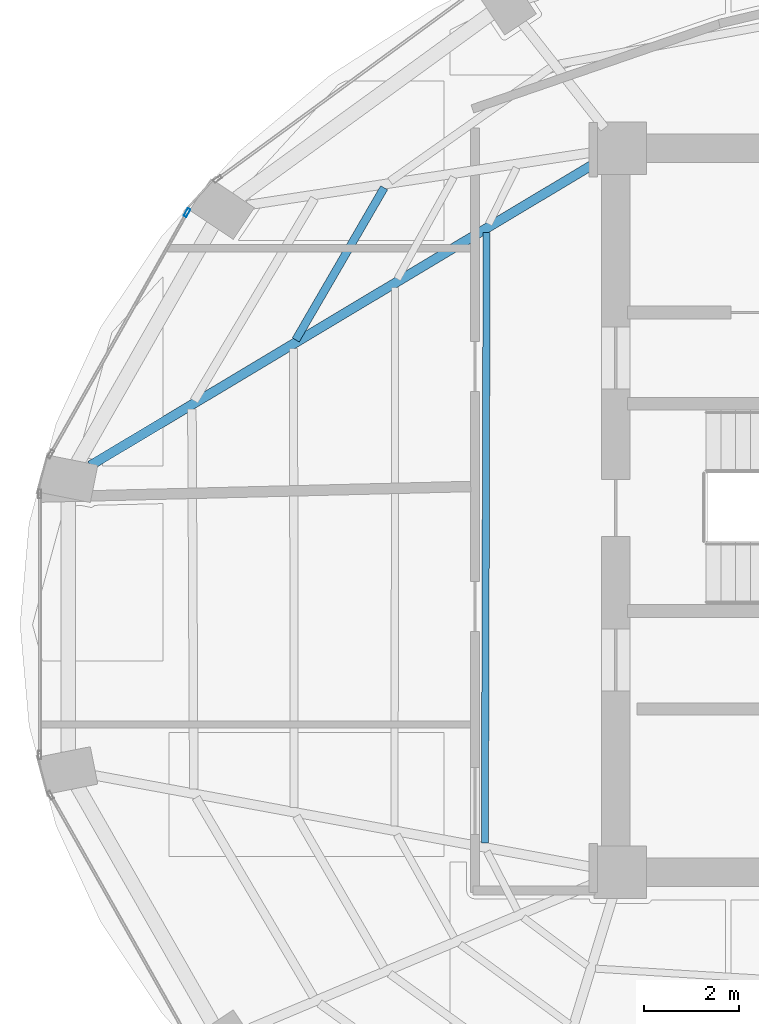
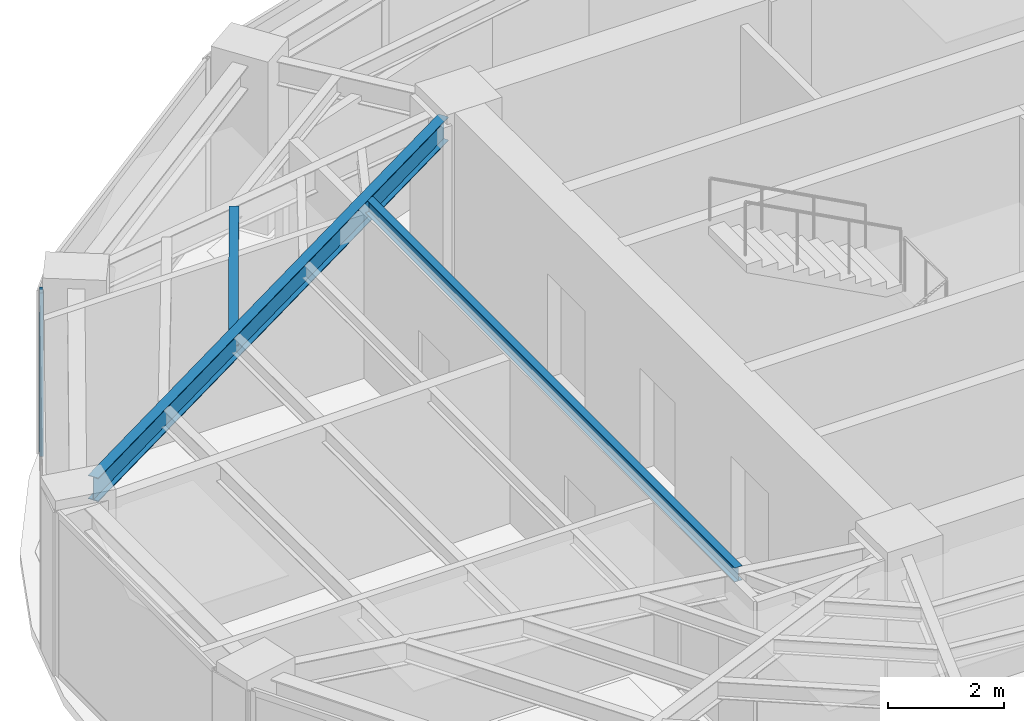
# One storey, part 9 of 22: 3 beams, 1 member, 1 element without a shape of its own.
"""IFC4 building model written with IfcOpenShell, lengths in metres."""

import ifcopenshell
import ifcopenshell.guid

model = None  # the IFC model being written
_history = None  # IfcOwnerHistory: only IFC2X3 demands one
_inside = {}  # id of a spatial element -> (the spatial element, [elements in it])
_under = {}  # id of a project, library or spatial element -> (it, [spatial elements below it])
_declared = {}  # id of a project -> (the project, [libraries it declares])
_typed = {}  # id of a type object -> (the type object, [elements of that type])
_made_of = {}  # id of a material, layer set ... -> (it, [elements and type objects made of it])


def new_model(schema):
    """Start an empty IFC model of exactly this schema.

    Asked for "IFC4X3", IfcOpenShell would pick the latest addendum, in which some entities
    have other attributes; the version numbers below select the first issue.
    IFC2X3 requires an IfcOwnerHistory on every rooted entity: one is made here for all.
    """
    global model, _history
    if schema == "IFC4X3":
        model = ifcopenshell.file(schema_version=(4, 3, 0, 0))
    else:
        model = ifcopenshell.file(schema=schema)
    _inside.clear()
    _under.clear()
    _declared.clear()
    _typed.clear()
    _made_of.clear()
    _history = None
    if model.schema == "IFC2X3":
        org = make("IfcOrganization", Name="unknown")
        user = make(
            "IfcPersonAndOrganization",
            ThePerson=make("IfcPerson", FamilyName="unknown"),
            TheOrganization=org,
        )
        app = make(
            "IfcApplication",
            ApplicationDeveloper=org,
            Version="unknown",
            ApplicationFullName="unknown",
            ApplicationIdentifier="unknown",
        )
        _history = make(
            "IfcOwnerHistory",
            OwningUser=user,
            OwningApplication=app,
            ChangeAction="ADDED",
            CreationDate=0,
        )
    return model


def make(cls, **values):
    """One entity of the class cls with the attributes given. An attribute that is None is left unset."""
    return model.create_entity(
        cls, **{name: value for name, value in values.items() if value is not None}
    )


def rooted(cls, **values):
    """An entity with a GlobalId (a new one), such as an element, a storey or a relation."""
    return make(cls, GlobalId=ifcopenshell.guid.new(), OwnerHistory=_history, **values)


def si_unit(unit_type, name, prefix=None):
    """IfcSIUnit, for example si_unit("LENGTHUNIT", "METRE", prefix="MILLI")."""
    return make("IfcSIUnit", UnitType=unit_type, Prefix=prefix, Name=name)


def assignment(units):
    """IfcUnitAssignment: the units of a project."""
    return None if units is None else make("IfcUnitAssignment", Units=units)


def point(xyz):
    """IfcCartesianPoint."""
    return None if xyz is None else make("IfcCartesianPoint", Coordinates=xyz)


def direction(xyz):
    """IfcDirection."""
    return None if xyz is None else make("IfcDirection", DirectionRatios=xyz)


def frame(location, z_axis=None, x_axis=None):
    """IfcAxis2Placement3D, a coordinate frame: its origin and axes. An axis left out is left unset."""
    return make(
        "IfcAxis2Placement3D",
        Location=point(location),
        Axis=direction(z_axis),
        RefDirection=direction(x_axis),
    )


def frame_2d(location, x_axis=None):
    """IfcAxis2Placement2D, a coordinate frame in the plane: its origin and x axis."""
    return make(
        "IfcAxis2Placement2D", Location=point(location), RefDirection=direction(x_axis)
    )


def origin():
    """The frame at (0, 0, 0) with its axes left unset."""
    return frame((0.0, 0.0, 0.0))


def origin_2d():
    """The frame at (0, 0) in the plane with its x axis left unset."""
    return frame_2d((0.0, 0.0))


def place(relative_to, where):
    """IfcLocalPlacement: puts the frame where relative to a parent placement (None: the world)."""
    return make(
        "IfcLocalPlacement", PlacementRelTo=relative_to, RelativePlacement=where
    )


def context(
    kind, dimensions, precision=None, world=None, true_north=None, identifier=None
):
    """IfcGeometricRepresentationContext, for example the 3D "Model" context."""
    return make(
        "IfcGeometricRepresentationContext",
        ContextIdentifier=identifier,
        ContextType=kind,
        CoordinateSpaceDimension=dimensions,
        Precision=precision,
        WorldCoordinateSystem=world,
        TrueNorth=true_north,
    )


def subcontext(parent, identifier, kind, view, scale=None):
    """IfcGeometricRepresentationSubContext, for example "Body" below "Model"."""
    return make(
        "IfcGeometricRepresentationSubContext",
        ContextIdentifier=identifier,
        ContextType=kind,
        ParentContext=parent,
        TargetScale=scale,
        TargetView=view,
    )


def project(units=None, contexts=None):
    """IfcProject with its units and contexts."""
    return rooted(
        "IfcProject",
        Name="project",
        RepresentationContexts=contexts,
        UnitsInContext=assignment(units),
    )


def spatial(cls, under=None, at=None, **own):
    """A site, building, storey or space (cls), placed at a placement, below another one or the project."""
    s = rooted(cls, ObjectPlacement=at, **own)
    if under is not None:
        _under.setdefault(under.id(), (under, []))[1].append(s)
    return s


def profile(cls, at=None, kind="AREA", **sizes):
    """A parametric profile (cls). Its sizes go by their IFC names, for example OverallWidth=200.0."""
    return make(cls, ProfileType=kind, Position=at, **sizes)


def hollow_rectangle(**sizes):
    """IfcRectangleHollowProfileDef."""
    return profile("IfcRectangleHollowProfileDef", **sizes)


def i_section(**sizes):
    """IfcIShapeProfileDef."""
    return profile("IfcIShapeProfileDef", **sizes)


def extrude(swept, where, along, depth):
    """IfcExtrudedAreaSolid: the profile swept, set in the frame where, extruded along a direction by depth."""
    return make(
        "IfcExtrudedAreaSolid",
        SweptArea=swept,
        Position=where,
        ExtrudedDirection=direction(along),
        Depth=depth,
    )


def shape(context_of_items, identifier, shape_type, items):
    """IfcShapeRepresentation: the items that make up one representation, for example the "Body"."""
    return make(
        "IfcShapeRepresentation",
        ContextOfItems=context_of_items,
        RepresentationIdentifier=identifier,
        RepresentationType=shape_type,
        Items=items,
    )


def material(Name=None, Category=None):
    """IfcMaterial."""
    return make("IfcMaterial", Name=Name, Category=Category)


def layer(
    of_material, thickness, ventilated=None, Name=None, Category=None, Priority=None
):
    """IfcMaterialLayer: one layer of a wall or slab, of a material (None: an air gap)."""
    return make(
        "IfcMaterialLayer",
        Material=of_material,
        LayerThickness=thickness,
        IsVentilated=ventilated,
        Name=Name,
        Category=Category,
        Priority=Priority,
    )


def layer_set(layers, Name=None):
    """IfcMaterialLayerSet."""
    return make("IfcMaterialLayerSet", MaterialLayers=layers, LayerSetName=Name)


def material_profile(
    of_material, cross_section, Name=None, Category=None, Priority=None
):
    """IfcMaterialProfile: a cross section and its material."""
    return make(
        "IfcMaterialProfile",
        Name=Name,
        Material=of_material,
        Profile=cross_section,
        Priority=Priority,
        Category=Category,
    )


def profile_set(profiles, Name=None, composite=None):
    """IfcMaterialProfileSet."""
    return make(
        "IfcMaterialProfileSet",
        Name=Name,
        MaterialProfiles=profiles,
        CompositeProfile=composite,
    )


def made_of(thing, what):
    """Note that an element or type object is made of a material, layer set ...; save() writes the relation."""
    if what is not None:
        _made_of.setdefault(what.id(), (what, []))[1].append(thing)
    return thing


def type_object(cls, material=None, **own):
    """A type object (cls), such as IfcWallType, which elements share."""
    return made_of(rooted(cls, **own), material)


def element(
    cls,
    number,
    at=None,
    inside=None,
    cuts=None,
    type_object=None,
    material=None,
    context=None,
    identifier="Body",
    shape_type=None,
    held_by="IfcProductDefinitionShape",
    body=None,
    shapes=None,
    **own,
):
    """One element of the class cls, such as IfcWall. Its Tag is "e" and its number.

    at: its placement. inside: the storey or other place that contains it. cuts: it is an
    opening in that element (IfcRelVoidsElement). A single representation is given by context,
    identifier, shape_type and body (its items); several are given by shapes. held_by: the class
    of the entity that holds the representations. save() writes the other relations.
    """
    e = rooted(cls, Tag="e%d" % number, ObjectPlacement=at, **own)
    if body is not None:
        shapes = [shape(context, identifier, shape_type, body)]
    if shapes is not None:
        e.Representation = make(held_by, Representations=shapes)
    if inside is not None:
        _inside.setdefault(inside.id(), (inside, []))[1].append(e)
    if cuts is not None:
        rooted(
            "IfcRelVoidsElement", RelatingBuildingElement=cuts, RelatedOpeningElement=e
        )
    if type_object is not None:
        _typed.setdefault(type_object.id(), (type_object, []))[1].append(e)
    return made_of(e, material)


def aggregate(whole, parts):
    """IfcRelAggregates: a whole, such as a stair, and the parts it consists of."""
    return rooted("IfcRelAggregates", RelatingObject=whole, RelatedObjects=parts)


def save(model, path):
    """Write the relations noted so far, then the file.

    IfcRelAggregates (storeys below a building ...), IfcRelContainedInSpatialStructure (elements
    in a storey), IfcRelDefinesByType, IfcRelAssociatesMaterial and IfcRelDeclares: one each for
    every whole, place, type object, material and project.
    """
    for whole, parts in _under.values():
        aggregate(whole, parts)
    for where, things in _inside.values():
        rooted(
            "IfcRelContainedInSpatialStructure",
            RelatedElements=things,
            RelatingStructure=where,
        )
    for kind, things in _typed.values():
        rooted("IfcRelDefinesByType", RelatedObjects=things, RelatingType=kind)
    for what, things in _made_of.values():
        rooted("IfcRelAssociatesMaterial", RelatedObjects=things, RelatingMaterial=what)
    for by, libraries in _declared.values():
        rooted("IfcRelDeclares", RelatingContext=by, RelatedDefinitions=libraries)
    model.write(path)


model = new_model("IFC4")

# Units and contexts
model_context = context("Model", 3, precision=1e-05, world=origin(), true_north=direction((0.0, 1.0)))
body_context = subcontext(model_context, "Body", "Model", "MODEL_VIEW")
ifc_project = project(units=[si_unit("LENGTHUNIT", "METRE"), si_unit("AREAUNIT", "SQUARE_METRE"), si_unit("VOLUMEUNIT", "CUBIC_METRE"), si_unit("PLANEANGLEUNIT", "RADIAN"), si_unit("MASSUNIT", "GRAM", prefix="KILO")], contexts=[model_context])

# Site, building, storey
site_placement = place(None, origin())
site = spatial("IfcSite", under=ifc_project, at=site_placement, CompositionType="ELEMENT")
building_placement = place(site_placement, origin())
building = spatial("IfcBuilding", under=site, at=building_placement, Name="Lazwardi Medical Tower", CompositionType="ELEMENT")
storey_placement = place(building_placement, frame((0.0, 0.0, 227.6640625)))
storey = spatial("IfcBuildingStorey", under=building, at=storey_placement, Name="L59", CompositionType="ELEMENT", Elevation=227.6640625)

# Beams
ifc_material_1 = material(Name="Steel S355", Category="steel")
ifc_material_profile_1 = material_profile(ifc_material_1, i_section(OverallWidth=0.199951171875, OverallDepth=0.5, WebThickness=0.01025390625, FlangeThickness=0.01611328125, at=origin_2d()), Name="IPE 500")
ifc_profile_set_1 = profile_set([ifc_material_profile_1], Name="Steel S355")
beam_type_1 = type_object("IfcBeamType", Name="BM-RG-W3", PredefinedType="BEAM", material=ifc_profile_set_1)
beam_1_placement = place(storey_placement, frame((15.27392578125, 28.937744140625, 3.197998046875), z_axis=(0.857944804603, 0.513741873176, 0.0), x_axis=(-0.513741873176, 0.857944804603, 0.0)))
element("IfcBeam", 1, at=beam_1_placement, inside=storey, type_object=beam_type_1, Name="Radial girder RG-04 R12 L59", PredefinedType="BEAM", context=body_context, shape_type="SweptSolid", body=[
    extrude(i_section(OverallWidth=0.199951171875, OverallDepth=0.5, WebThickness=0.01025390625, FlangeThickness=0.01611328125, at=origin_2d()), origin(), (0.0, 0.0, 1.0), 12.43310546875),
])
ifc_material_profile_2 = material_profile(ifc_material_1, i_section(OverallWidth=0.169921875, OverallDepth=0.360107421875, WebThickness=0.008056640625, FlangeThickness=0.0126953125, at=origin_2d()), Name="IPE 360")
ifc_profile_set_2 = profile_set([ifc_material_profile_2], Name="Steel S355")
beam_type_2 = type_object("IfcBeamType", Name="BM-SJ-02", PredefinedType="JOIST", material=ifc_profile_set_2)
beam_2_placement = place(storey_placement, frame((21.4423828125, 34.767578125, 3.267822265625), z_axis=(-0.50218018565, -0.864763008657, 0.0), x_axis=(0.864763008657, -0.50218018565, 0.0)))
element("IfcBeam", 2, at=beam_2_placement, inside=storey, type_object=beam_type_2, Name="Secondary joist SJ-02 R2 B11 L59", PredefinedType="JOIST", context=body_context, shape_type="SweptSolid", body=[
    extrude(i_section(OverallWidth=0.169921875, OverallDepth=0.360107421875, WebThickness=0.008056640625, FlangeThickness=0.0126953125, at=origin_2d()), origin(), (0.0, 0.0, 1.0), 3.69189453125),
])
ifc_material_profile_3 = material_profile(ifc_material_1, i_section(OverallWidth=0.14990234375, OverallDepth=0.300048828125, WebThickness=0.007080078125, FlangeThickness=0.0107421875, at=origin_2d()), Name="IPE 300")
ifc_profile_set_3 = profile_set([ifc_material_profile_3], Name="Steel S355")
beam_type_3 = type_object("IfcBeamType", Name="BM-SJ-03", PredefinedType="JOIST", material=ifc_profile_set_3)
beam_3_placement = place(storey_placement, frame((23.593994140625, 33.824951171875, 3.2978515625), z_axis=(-0.002897930673, -0.99999580099, 0.0), x_axis=(0.99999580099, -0.002897930673, 0.0)))
element("IfcBeam", 3, at=beam_3_placement, inside=storey, type_object=beam_type_3, Name="Secondary joist SJ-03 R4 B12 L59", PredefinedType="JOIST", context=body_context, shape_type="SweptSolid", body=[
    extrude(i_section(OverallWidth=0.14990234375, OverallDepth=0.300048828125, WebThickness=0.007080078125, FlangeThickness=0.0107421875, at=origin_2d()), origin(), (0.0, 0.0, 1.0), 12.805419921875),
])

# Curtain wall, member
ifc_material_2 = material(Name="Anodised bronze aluminium and solar control glazing", Category="aluminium")
ifc_layer = layer(ifc_material_2, 0.18994140625)
ifc_layer_set = layer_set([ifc_layer], Name="Anodised bronze aluminium and solar control glazing")
curtain_wall_type = type_object("IfcCurtainWallType", Name="CW-SYS-04", PredefinedType="NOTDEFINED", material=ifc_layer_set)
curtain_wall_placement = place(storey_placement, origin())
curtain_wall = element("IfcCurtainWall", 4, at=curtain_wall_placement, inside=storey, type_object=curtain_wall_type, Name="L59 Unitised bronze curtain wall CW-04", PredefinedType="NOTDEFINED")
ifc_material_3 = material(Name="Anodised bronze aluminium", Category="aluminium")
ifc_material_profile_4 = material_profile(ifc_material_3, hollow_rectangle(XDim=0.06494140625, YDim=0.179931640625, WallThickness=0.00390625, at=origin_2d()), Name="ALU-MULLION 180x65x4")
ifc_profile_set_4 = profile_set([ifc_material_profile_4], Name="Anodised bronze aluminium")
member_type = type_object("IfcMemberType", Name="CW-MUL-03", PredefinedType="MULLION", material=ifc_profile_set_4)
member_placement = place(storey_placement, frame((17.3056640625, 34.24560546875, 0.0), z_axis=(0.0, 0.0, 1.0), x_axis=(0.870651436011, -0.491900474661, 0.0)))
member = element("IfcMember", 5, at=member_placement, type_object=member_type, Name="CW-04 mullion 1", PredefinedType="MULLION", context=body_context, shape_type="SweptSolid", body=[
    extrude(hollow_rectangle(XDim=0.06494140625, YDim=0.179931640625, WallThickness=0.00390625, at=origin_2d()), origin(), (0.0, 0.0, 1.0), 3.447998046875),
])
aggregate(curtain_wall, [member])

save(model, "model.ifc")
